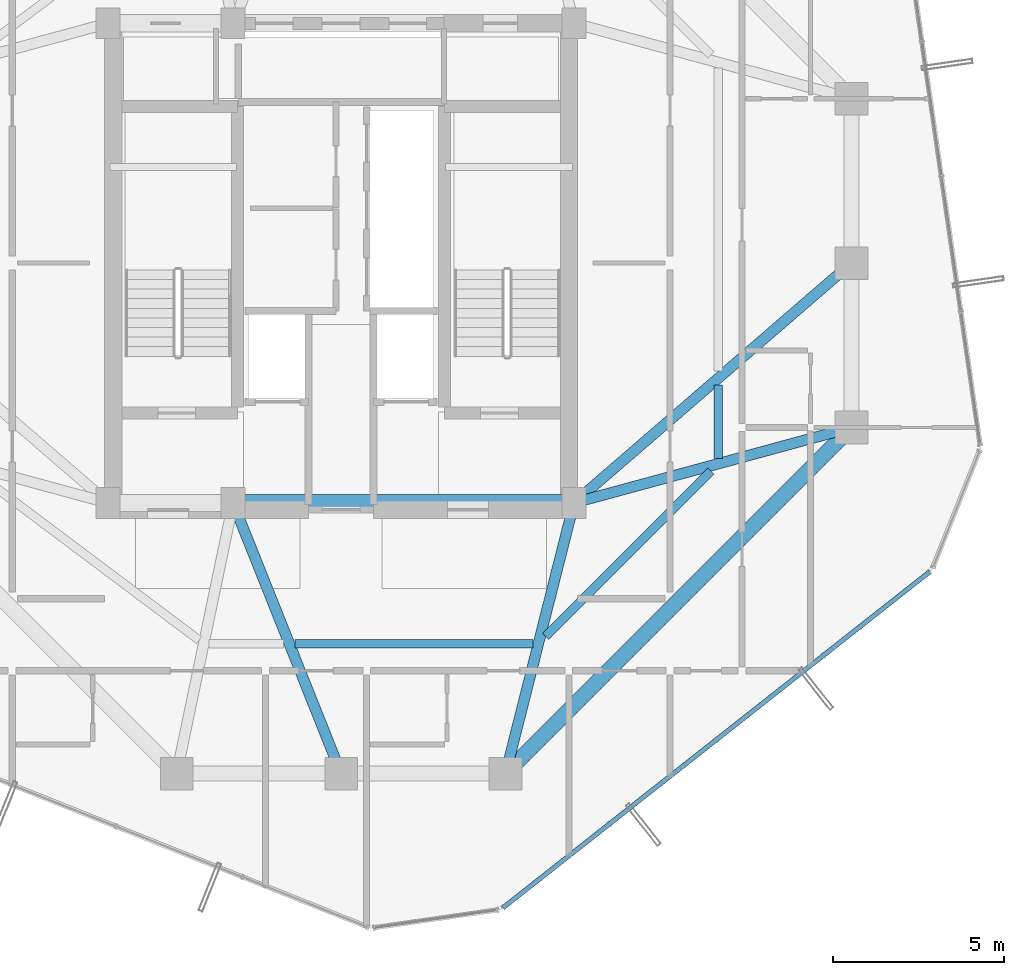
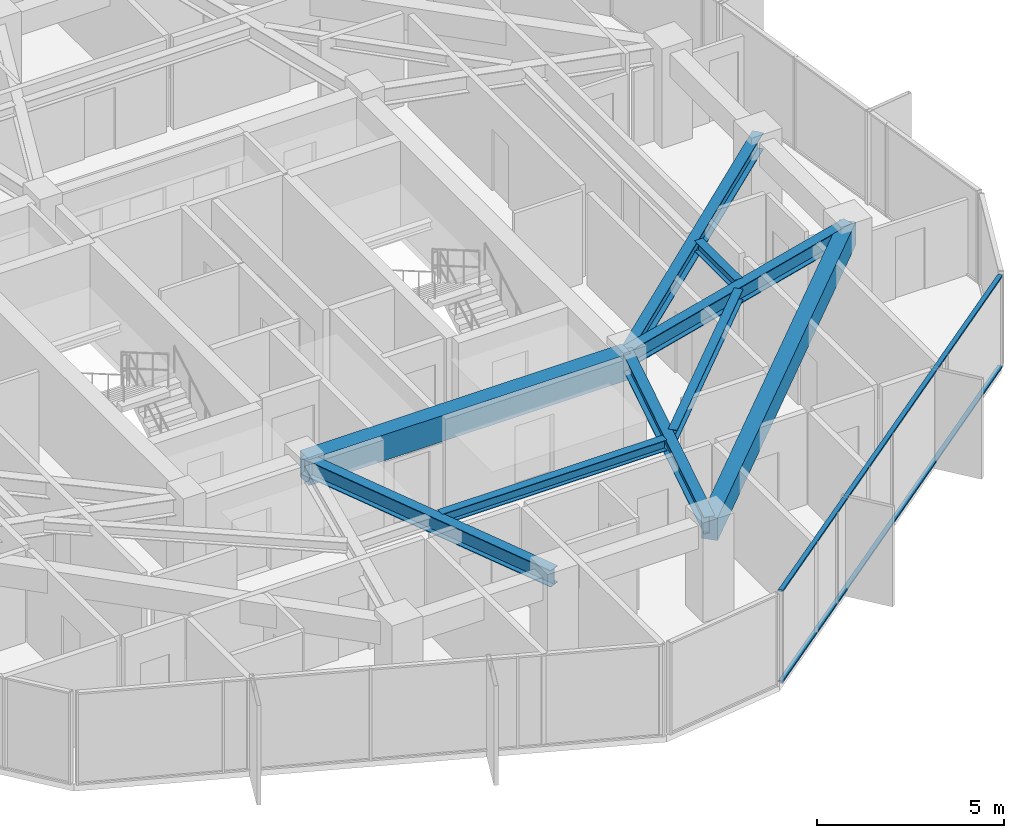
# One storey, part 8 of 31: 9 beams, 2 members, 1 element without a shape of its own.
"""IFC4 building model written with IfcOpenShell, lengths in metres."""

from ifc_helpers import new_model, si_unit, direction, frame, origin, origin_2d, place, context, subcontext, project, spatial, rectangle, hollow_rectangle, i_section, extrude, source, transform, mapped, material, layer, layer_set, material_profile, profile_set, type_object, element, aggregate, save


model = new_model("IFC4")

# Units and contexts
model_context = context("Model", 3, precision=1e-05, world=origin(), true_north=direction((0.0, 1.0)))
body_context = subcontext(model_context, "Body", "Model", "MODEL_VIEW")
ifc_project = project(units=[si_unit("LENGTHUNIT", "METRE"), si_unit("AREAUNIT", "SQUARE_METRE"), si_unit("VOLUMEUNIT", "CUBIC_METRE"), si_unit("PLANEANGLEUNIT", "RADIAN"), si_unit("MASSUNIT", "GRAM", prefix="KILO")], contexts=[model_context])

# Site, building, storey
site_placement = place(None, origin())
site = spatial("IfcSite", under=ifc_project, at=site_placement, CompositionType="ELEMENT")
building_placement = place(site_placement, origin())
building = spatial("IfcBuilding", under=site, at=building_placement, Name="Veraguas Prism Commons", CompositionType="ELEMENT")
storey_placement = place(building_placement, frame((0.0, 0.0, 178.85009765625)))
storey = spatial("IfcBuildingStorey", under=building, at=storey_placement, Name="L50", CompositionType="ELEMENT", Elevation=178.85009765625)

# Beams
ifc_material_1 = material(Name="Concrete C50/60", Category="concrete")
ifc_material_profile_1 = material_profile(ifc_material_1, rectangle(XDim=0.5, YDim=0.85009765625, at=origin_2d()), Name="RC500X850")
ifc_profile_set_1 = profile_set([ifc_material_profile_1], Name="Concrete C50/60")
beam_type_1 = type_object("IfcBeamType", Name="Core Coupling Beam RC 500x850", PredefinedType="BEAM", material=ifc_profile_set_1)
beam_1_placement = place(storey_placement, frame((20.85009765625, 17.0, 2.58984375), z_axis=(1.0, 0.0, 0.0), x_axis=(0.0, 1.0, 0.0)))
element("IfcBeam", 1, at=beam_1_placement, inside=storey, type_object=beam_type_1, Name="Core Coupling Beam L50-CRS2", PredefinedType="BEAM", context=body_context, shape_type="SweptSolid", body=[
    extrude(rectangle(XDim=0.5, YDim=0.85009765625, at=origin_2d()), origin(), (0.0, 0.0, 1.0), 9.949951171875),
])
ifc_material_profile_2 = material_profile(ifc_material_1, rectangle(XDim=0.449951171875, YDim=0.75, at=origin_2d()), Name="RC450X750")
ifc_profile_set_2 = profile_set([ifc_material_profile_2], Name="Concrete C50/60")
beam_type_2 = type_object("IfcBeamType", Name="Perimeter Spandrel Upper RC 450x750", PredefinedType="SPANDREL", material=ifc_profile_set_2)
beam_2_placement = place(storey_placement, frame((28.800048828125, 9.10009765625, 2.639892578125), z_axis=(0.707106781187, 0.707106781187, 0.0), x_axis=(-0.707106781187, 0.707106781187, 0.0)))
element("IfcBeam", 2, at=beam_2_placement, inside=storey, type_object=beam_type_2, Name="Perimeter Spandrel Beam L50-SP12", PredefinedType="SPANDREL", context=body_context, shape_type="SweptSolid", body=[
    extrude(rectangle(XDim=0.449951171875, YDim=0.75, at=origin_2d()), origin(), (0.0, 0.0, 1.0), 14.283447265625),
])
ifc_material_2 = material(Name="Steel ASTM A992 Grade 50", Category="steel")
ifc_material_profile_3 = material_profile(ifc_material_2, i_section(OverallWidth=0.25390625, OverallDepth=0.35302734375, WebThickness=0.009521484375, FlangeThickness=0.016357421875, at=origin_2d()), Name="W360X91")
ifc_profile_set_3 = profile_set([ifc_material_profile_3], Name="Steel ASTM A992 Grade 50")
beam_type_3 = type_object("IfcBeamType", Name="Upper Floor Joist W360x91", PredefinedType="JOIST", material=ifc_profile_set_3)
beam_3_placement = place(storey_placement, frame((35.011962890625, 18.302978515625, 2.83837890625), z_axis=(0.0, 1.0, 0.0), x_axis=(-1.0, 0.0, 0.0)))
element("IfcBeam", 3, at=beam_3_placement, inside=storey, type_object=beam_type_3, Name="Composite Floor Joist L50-JS01", PredefinedType="JOIST", context=body_context, shape_type="SweptSolid", body=[
    extrude(i_section(OverallWidth=0.25390625, OverallDepth=0.35302734375, WebThickness=0.009521484375, FlangeThickness=0.016357421875, at=origin_2d()), origin(), (0.0, 0.0, 1.0), 2.134033203125),
])
beam_4_placement = place(storey_placement, frame((22.6533203125, 12.89208984375, 2.83837890625), z_axis=(1.0, 0.0, 0.0), x_axis=(0.0, 1.0, 0.0)))
element("IfcBeam", 4, at=beam_4_placement, inside=storey, type_object=beam_type_3, Name="Composite Floor Joist L50-JS11", PredefinedType="JOIST", context=body_context, shape_type="SweptSolid", body=[
    extrude(i_section(OverallWidth=0.25390625, OverallDepth=0.35302734375, WebThickness=0.009521484375, FlangeThickness=0.016357421875, at=origin_2d()), origin(), (0.0, 0.0, 1.0), 6.948486328125),
])
beam_5_placement = place(storey_placement, frame((29.971923828125, 13.10400390625, 2.83837890625), z_axis=(0.707124682851, 0.707088879069, 0.0), x_axis=(-0.707088879069, 0.707124682851, 0.0)))
element("IfcBeam", 5, at=beam_5_placement, inside=storey, type_object=beam_type_3, Name="Composite Floor Joist L50-JS12", PredefinedType="JOIST", context=body_context, shape_type="SweptSolid", body=[
    extrude(i_section(OverallWidth=0.25390625, OverallDepth=0.35302734375, WebThickness=0.009521484375, FlangeThickness=0.016357421875, at=origin_2d()), origin(), (0.0, 0.0, 1.0), 6.81884765625),
])
ifc_material_profile_4 = material_profile(ifc_material_2, i_section(OverallWidth=0.31103515625, OverallDepth=0.5458984375, WebThickness=0.0146484375, FlangeThickness=0.023681640625, at=origin_2d()), Name="W530X165")
ifc_profile_set_4 = profile_set([ifc_material_profile_4], Name="Steel ASTM A992 Grade 50")
beam_type_4 = type_object("IfcBeamType", Name="Zone 3 Radial Girder W530x165", PredefinedType="BEAM", material=ifc_profile_set_4)
beam_6_placement = place(storey_placement, frame((38.89990234375, 19.199951171875, 2.741943359375), z_axis=(-0.965038506703, -0.262108146725, 0.0), x_axis=(0.262108146725, -0.965038506703, 0.0)))
element("IfcBeam", 6, at=beam_6_placement, inside=storey, type_object=beam_type_4, Name="Radial Floor Girder L50-RD01", PredefinedType="BEAM", context=body_context, shape_type="SweptSolid", body=[
    extrude(i_section(OverallWidth=0.31103515625, OverallDepth=0.5458984375, WebThickness=0.0146484375, FlangeThickness=0.023681640625, at=origin_2d()), origin(), (0.0, 0.0, 1.0), 8.393310546875),
])
beam_7_placement = place(storey_placement, frame((38.89990234375, 24.0, 2.741943359375), z_axis=(-0.756607086554, -0.653869800936, 0.0), x_axis=(0.653869800936, -0.756607086554, 0.0)))
element("IfcBeam", 7, at=beam_7_placement, inside=storey, type_object=beam_type_4, Name="Radial Floor Girder L50-RD02", PredefinedType="BEAM", context=body_context, shape_type="SweptSolid", body=[
    extrude(i_section(OverallWidth=0.31103515625, OverallDepth=0.5458984375, WebThickness=0.0146484375, FlangeThickness=0.023681640625, at=origin_2d()), origin(), (0.0, 0.0, 1.0), 10.70556640625),
])
beam_8_placement = place(storey_placement, frame((24.0, 9.10009765625, 2.741943359375), z_axis=(-0.370370877803, 0.928883960931, 0.0), x_axis=(-0.928883960931, -0.370370877803, 0.0)))
element("IfcBeam", 8, at=beam_8_placement, inside=storey, type_object=beam_type_4, Name="Radial Floor Girder L50-RD11", PredefinedType="BEAM", context=body_context, shape_type="SweptSolid", body=[
    extrude(i_section(OverallWidth=0.31103515625, OverallDepth=0.5458984375, WebThickness=0.0146484375, FlangeThickness=0.023681640625, at=origin_2d()), origin(), (0.0, 0.0, 1.0), 8.504638671875),
])
beam_9_placement = place(storey_placement, frame((28.800048828125, 9.10009765625, 2.741943359375), z_axis=(0.245424718066, 0.969415652732, 0.0), x_axis=(-0.969415652732, 0.245424718066, 0.0)))
element("IfcBeam", 9, at=beam_9_placement, inside=storey, type_object=beam_type_4, Name="Radial Floor Girder L50-RD12", PredefinedType="BEAM", context=body_context, shape_type="SweptSolid", body=[
    extrude(i_section(OverallWidth=0.31103515625, OverallDepth=0.5458984375, WebThickness=0.0146484375, FlangeThickness=0.023681640625, at=origin_2d()), origin(), (0.0, 0.0, 1.0), 8.149169921875),
])

# Curtain wall, members
ifc_material_3 = material(Name="Anodised aluminium EN AW-6063 T6", Category="aluminium")
ifc_layer = layer(ifc_material_3, 0.14990234375, Name="Unitised Flush Curtain Wall Zone 3", Category="aluminium")
ifc_layer_set = layer_set([ifc_layer], Name="Anodised aluminium EN AW-6063 T6")
curtain_wall_type = type_object("IfcCurtainWallType", Name="Unitised Flush Curtain Wall Zone 3", PredefinedType="NOTDEFINED", material=ifc_layer_set)
curtain_wall_placement = place(storey_placement, origin())
curtain_wall = element("IfcCurtainWall", 10, at=curtain_wall_placement, inside=storey, type_object=curtain_wall_type, Name="Tower Facade Curtain Wall L50-F5", PredefinedType="NOTDEFINED")
ifc_material_profile_5 = material_profile(ifc_material_3, hollow_rectangle(XDim=0.054931640625, YDim=0.135009765625, WallThickness=0.0029296875, at=origin_2d()), Name="AL55X135X3")
ifc_profile_set_5 = profile_set([ifc_material_profile_5], Name="Anodised aluminium EN AW-6063 T6")
member_type = type_object("IfcMemberType", Name="Curtain Wall Transom Standard AL 55x135x3", PredefinedType="USERDEFINED", material=ifc_profile_set_5)
shared_shape = source(origin(), body_context, "Body", "SweptSolid", [
    extrude(hollow_rectangle(XDim=0.054931640625, YDim=0.135009765625, WallThickness=0.0029296875, at=origin_2d()), origin(), (0.0, 0.0, 1.0), 15.842529296875),
])
member_1_placement = place(storey_placement, frame((28.73388671875, 5.185302734375, 0.02734375), z_axis=(0.785640340789, 0.618683485253, 0.0), x_axis=(0.0, 0.0, 1.0)))
member_1 = element("IfcMember", 11, at=member_1_placement, type_object=member_type, Name="CW-Z3 Transom 1", ObjectType="TRANSOM", PredefinedType="USERDEFINED", context=body_context, shape_type="MappedRepresentation", body=[
    mapped(shared_shape, transform((0.0, 0.0, 0.0), scale=1.0)),
])
member_2_placement = place(storey_placement, frame((28.73388671875, 5.185302734375, 2.9873046875), z_axis=(0.785640340789, 0.618683485253, 0.0), x_axis=(0.0, 0.0, 1.0)))
member_2 = element("IfcMember", 12, at=member_2_placement, type_object=member_type, Name="CW-Z3 Transom 2", ObjectType="TRANSOM", PredefinedType="USERDEFINED", context=body_context, shape_type="MappedRepresentation", body=[
    mapped(shared_shape, transform((0.0, 0.0, 0.0), scale=1.0)),
])
aggregate(curtain_wall, [member_1, member_2])

save(model, "model.ifc")
